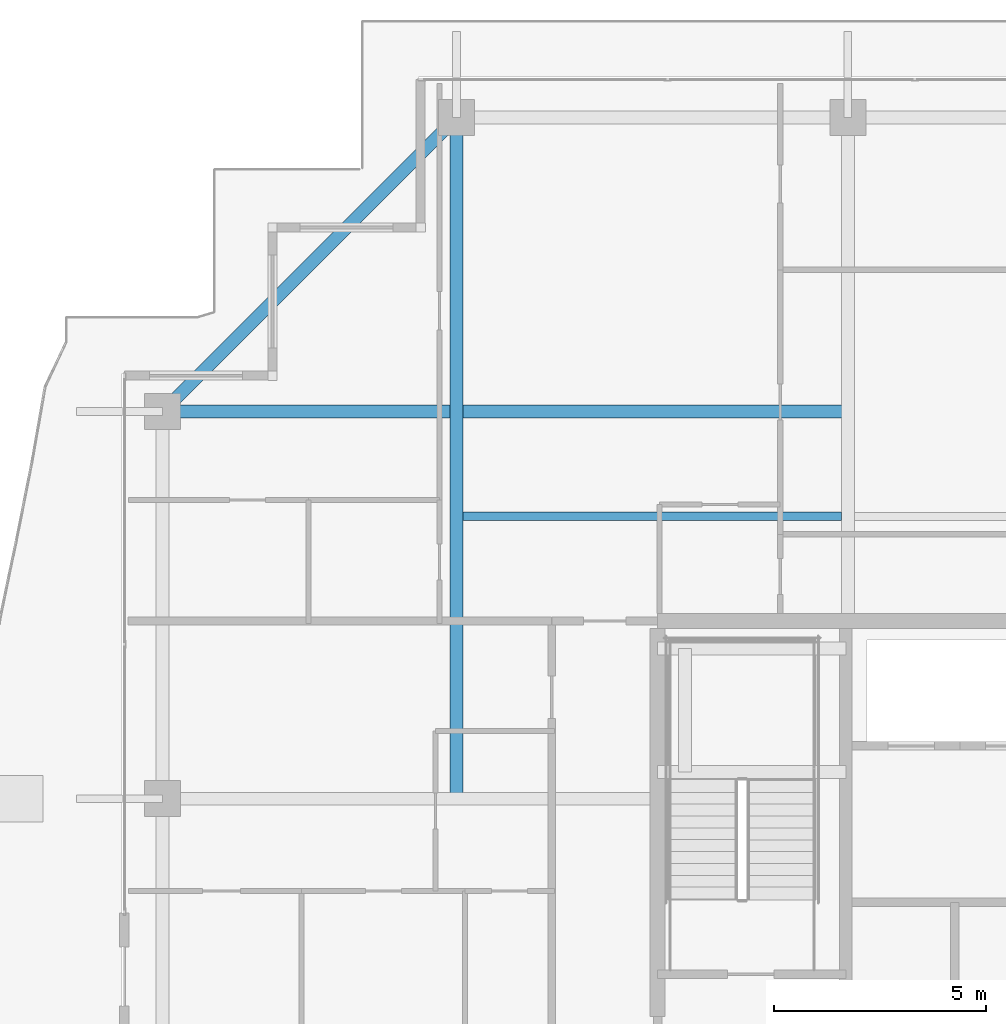
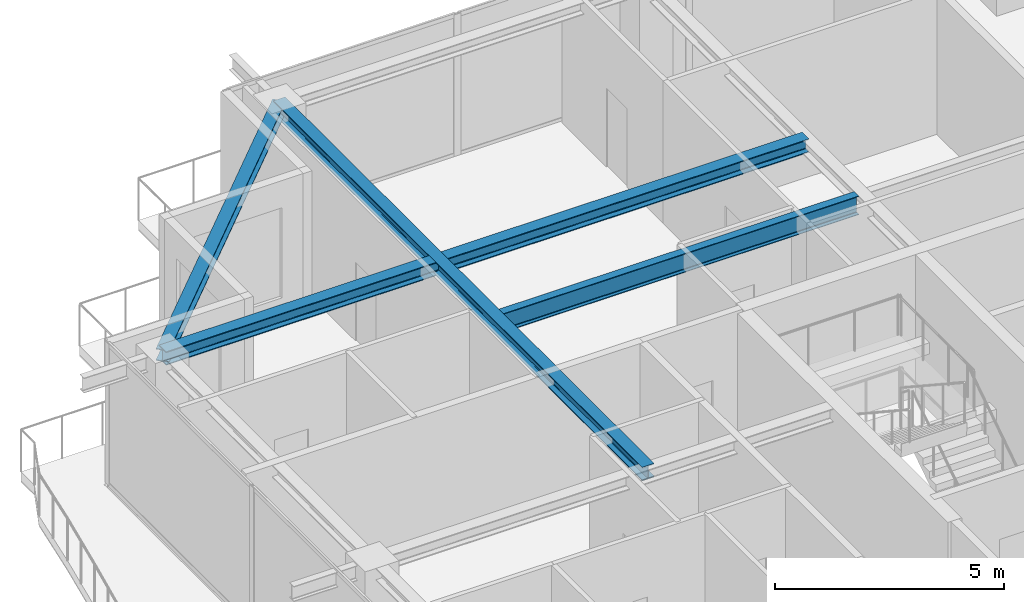
# One storey, part 17 of 36: 4 beams.
"""IFC4 building model written with IfcOpenShell, lengths in metres."""

from ifc_helpers import new_model, si_unit, direction, frame, origin, origin_2d, place, context, subcontext, project, spatial, i_section, extrude, source, transform, mapped, material, material_profile, profile_set, type_object, element, save


model = new_model("IFC4")

# Units and contexts
model_context = context("Model", 3, precision=1e-05, world=origin(), true_north=direction((0.0, 1.0)))
body_context = subcontext(model_context, "Body", "Model", "MODEL_VIEW")
ifc_project = project(units=[si_unit("LENGTHUNIT", "METRE"), si_unit("AREAUNIT", "SQUARE_METRE"), si_unit("VOLUMEUNIT", "CUBIC_METRE"), si_unit("PLANEANGLEUNIT", "RADIAN"), si_unit("MASSUNIT", "GRAM", prefix="KILO")], contexts=[model_context])

# Site, building, storey
site_placement = place(None, origin())
site = spatial("IfcSite", under=ifc_project, at=site_placement, CompositionType="ELEMENT")
building_placement = place(site_placement, origin())
building = spatial("IfcBuilding", under=site, at=building_placement, Name="Serunith Strait Residences", CompositionType="ELEMENT")
storey_placement = place(building_placement, frame((0.0, 0.0, 338.0)))
storey = spatial("IfcBuildingStorey", under=building, at=storey_placement, Name="L84", CompositionType="ELEMENT", Elevation=338.0)

# Beams
ifc_material = material(Name="Steel S355J2", Category="steel")
ifc_material_profile_1 = material_profile(ifc_material, i_section(OverallWidth=0.300048828125, OverallDepth=0.360107421875, WebThickness=0.012451171875, FlangeThickness=0.0224609375, FilletRadius=0.027099609375, at=origin_2d()), Name="HEB 360")
ifc_profile_set_1 = profile_set([ifc_material_profile_1], Name="Steel S355J2")
beam_type_1 = type_object("IfcBeamType", Name="BM-HEB360", PredefinedType="BEAM", material=ifc_profile_set_1)
shared_shape_1 = source(origin(), body_context, "Body", "SweptSolid", [
    extrude(i_section(OverallWidth=0.300048828125, OverallDepth=0.360107421875, WebThickness=0.012451171875, FlangeThickness=0.0224609375, FilletRadius=0.027099609375, at=origin_2d()), origin(), (0.0, 0.0, 1.0), 16.10009765625),
])
beam_1_placement = place(storey_placement, frame((18.64990234375, 29.39990234375, 3.60693359375), z_axis=(0.0, 1.0, 0.0), x_axis=(-1.0, 0.0, 0.0)))
element("IfcBeam", 1, at=beam_1_placement, inside=storey, type_object=beam_type_1, Name="L84 Orthogonal Corner Girder TC-N1", PredefinedType="BEAM", context=body_context, shape_type="MappedRepresentation", body=[
    mapped(shared_shape_1, transform((0.0, 0.0, 0.0), scale=1.0)),
])
shared_shape_2 = source(origin(), body_context, "Body", "SweptSolid", [
    extrude(i_section(OverallWidth=0.300048828125, OverallDepth=0.360107421875, WebThickness=0.012451171875, FlangeThickness=0.0224609375, FilletRadius=0.027099609375, at=origin_2d()), origin(), (0.0, 0.0, 1.0), 16.199951171875),
])
beam_2_placement = place(storey_placement, frame((27.89990234375, 38.550048828125, 3.60693359375), z_axis=(-1.0, 0.0, 0.0), x_axis=(0.0, -1.0, 0.0)))
element("IfcBeam", 2, at=beam_2_placement, inside=storey, type_object=beam_type_1, Name="L84 Orthogonal Corner Girder TC-W4", PredefinedType="BEAM", context=body_context, shape_type="MappedRepresentation", body=[
    mapped(shared_shape_2, transform((0.0, 0.0, 0.0), scale=1.0)),
])
ifc_material_profile_2 = material_profile(ifc_material, i_section(OverallWidth=0.300048828125, OverallDepth=0.320068359375, WebThickness=0.011474609375, FlangeThickness=0.0205078125, FilletRadius=0.027099609375, at=origin_2d()), Name="HEB 320")
ifc_profile_set_2 = profile_set([ifc_material_profile_2], Name="Steel S355J2")
beam_type_2 = type_object("IfcBeamType", Name="BM-HEB320", PredefinedType="BEAM", material=ifc_profile_set_2)
shared_shape_3 = source(origin(), body_context, "Body", "SweptSolid", [
    extrude(i_section(OverallWidth=0.300048828125, OverallDepth=0.320068359375, WebThickness=0.011474609375, FlangeThickness=0.0205078125, FilletRadius=0.027099609375, at=origin_2d()), origin(), (0.0, 0.0, 1.0), 9.82861328125),
])
beam_3_placement = place(storey_placement, frame((18.64990234375, 45.5, 3.596923828125), z_axis=(-0.707106781187, -0.707106781187, 0.0), x_axis=(0.707106781187, -0.707106781187, 0.0)))
element("IfcBeam", 3, at=beam_3_placement, inside=storey, type_object=beam_type_2, Name="L84 Perimeter Ring Beam 12", PredefinedType="BEAM", context=body_context, shape_type="MappedRepresentation", body=[
    mapped(shared_shape_3, transform((0.0, 0.0, 0.0), scale=1.0)),
])
ifc_material_profile_3 = material_profile(ifc_material, i_section(OverallWidth=0.199951171875, OverallDepth=0.5, WebThickness=0.01025390625, FlangeThickness=0.01611328125, FilletRadius=0.02099609375, at=origin_2d()), Name="IPE 500")
ifc_profile_set_3 = profile_set([ifc_material_profile_3], Name="Steel S355J2")
beam_type_3 = type_object("IfcBeamType", Name="BM-IPE500", PredefinedType="JOIST", material=ifc_profile_set_3)
shared_shape_4 = source(origin(), body_context, "Body", "SweptSolid", [
    extrude(i_section(OverallWidth=0.199951171875, OverallDepth=0.5, WebThickness=0.01025390625, FlangeThickness=0.01611328125, FilletRadius=0.02099609375, at=origin_2d()), origin(), (0.0, 0.0, 1.0), 8.949951171875),
])
beam_4_placement = place(storey_placement, frame((18.800048828125, 36.074951171875, 3.537109375), z_axis=(1.0, 0.0, 0.0), x_axis=(0.0, 1.0, 0.0)))
element("IfcBeam", 4, at=beam_4_placement, inside=storey, type_object=beam_type_3, Name="L84 Composite Floor Joist 04", PredefinedType="JOIST", context=body_context, shape_type="MappedRepresentation", body=[
    mapped(shared_shape_4, transform((0.0, 0.0, 0.0), scale=1.0)),
])

save(model, "model.ifc")
